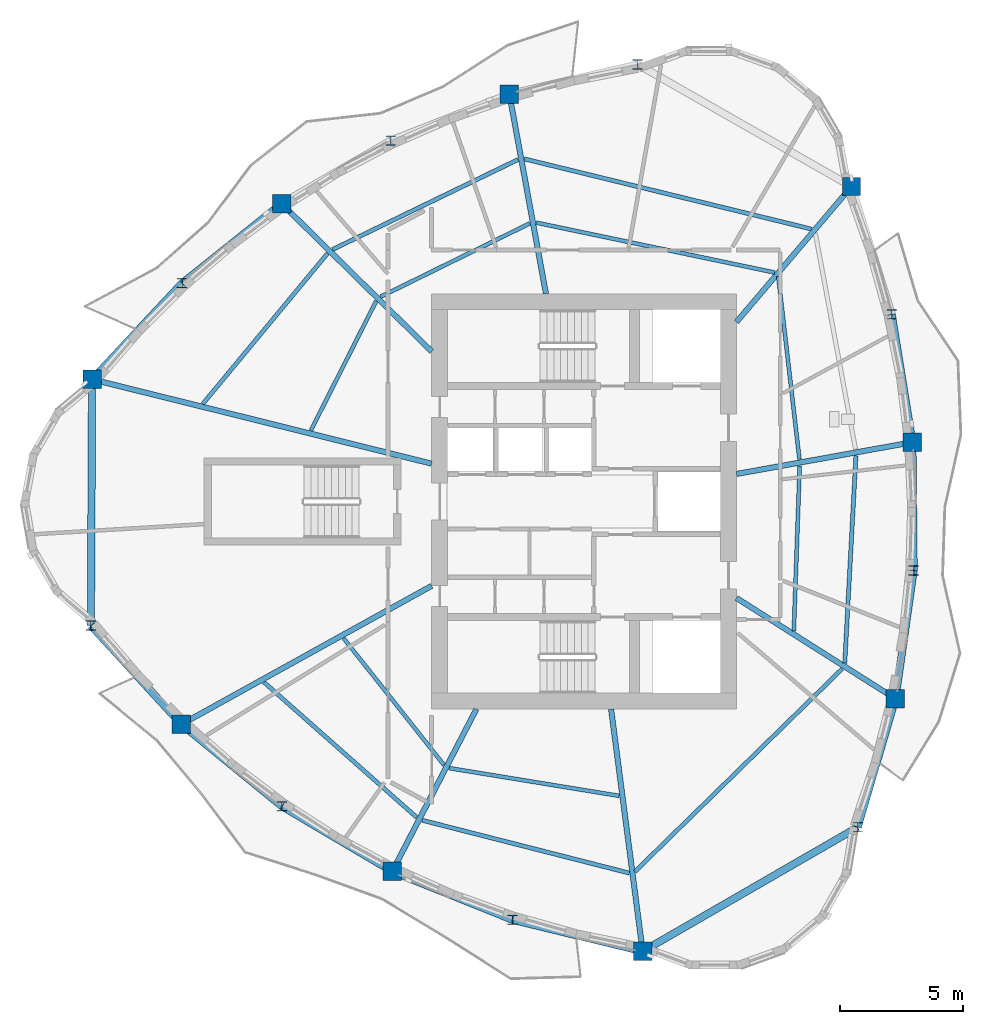
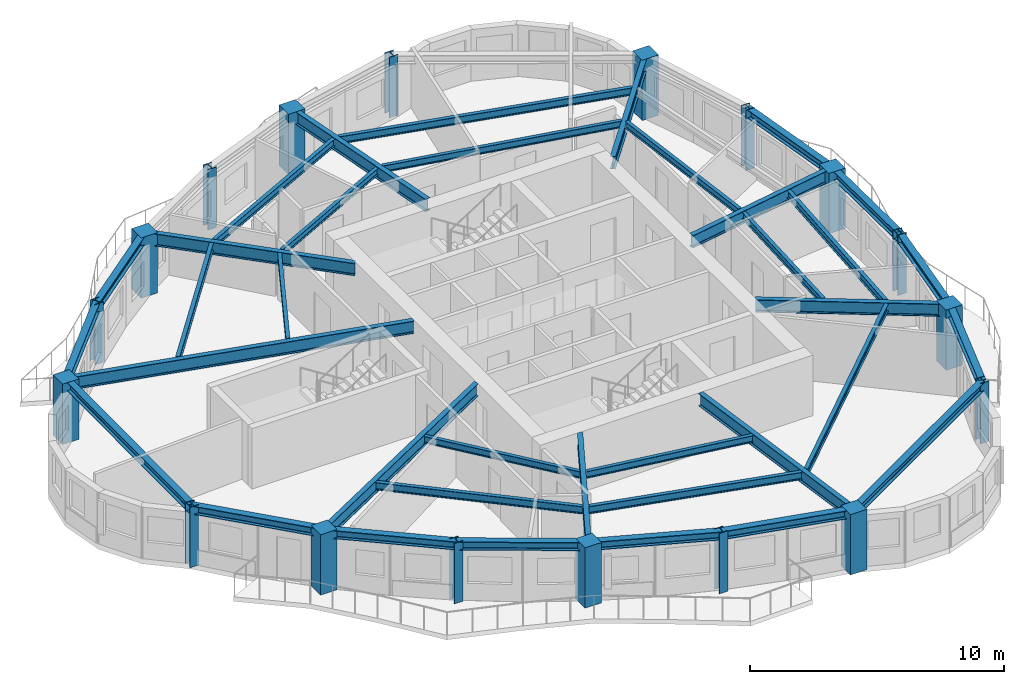
# One storey, part 1 of 12: 36 beams, 18 columns.
"""IFC4 building model written with IfcOpenShell, lengths in metres."""

from ifc_helpers import new_model, si_unit, direction, frame, origin, origin_2d, place, context, subcontext, project, spatial, rectangle, i_section, extrude, source, transform, mapped, material, material_profile, profile_set, type_object, element, save


model = new_model("IFC4")

# Units and contexts
model_context = context("Model", 3, precision=1e-05, world=origin(), true_north=direction((0.0, 1.0)))
body_context = subcontext(model_context, "Body", "Model", "MODEL_VIEW")
ifc_project = project(units=[si_unit("LENGTHUNIT", "METRE"), si_unit("AREAUNIT", "SQUARE_METRE"), si_unit("VOLUMEUNIT", "CUBIC_METRE"), si_unit("PLANEANGLEUNIT", "RADIAN"), si_unit("MASSUNIT", "GRAM", prefix="KILO")], contexts=[model_context])

# Site, building, storey
site_placement = place(None, origin())
site = spatial("IfcSite", under=ifc_project, at=site_placement, CompositionType="ELEMENT")
building_placement = place(site_placement, origin())
building = spatial("IfcBuilding", under=site, at=building_placement, Name="Qafzar Sky-Pleat Residences", CompositionType="ELEMENT")
storey_placement = place(building_placement, frame((0.0, 0.0, 187.39990234375)))
storey = spatial("IfcBuildingStorey", under=building, at=storey_placement, Name="L56", CompositionType="ELEMENT", Elevation=187.39990234375)

# Columns
ifc_material_1 = material(Name="Concrete C60/75", Category="concrete")
ifc_material_profile_1 = material_profile(ifc_material_1, rectangle(XDim=0.75, YDim=0.75, at=origin_2d()), Name="RC 750x750")
ifc_profile_set_1 = profile_set([ifc_material_profile_1], Name="Concrete C60/75")
column_type_1 = type_object("IfcColumnType", Name="COL-RC-750", PredefinedType="COLUMN", material=ifc_profile_set_1)
shared_shape_1 = source(origin(), body_context, "Body", "SweptSolid", [
    extrude(rectangle(XDim=0.75, YDim=0.75, at=origin_2d()), origin(), (0.0, 0.0, 1.0), 2.900146484375),
])
for number, where, z_axis, x_axis, name in (
    (1, (10.338134765625, 30.967041015625, 0.0), (0.0, 0.0, 1.0), (1.0, 0.0, 0.0), "L56 Perimeter Mega Column 1"),
    (2, (13.97265625, 16.934814453125, 0.0), (0.0, 0.0, 1.0), (1.0, 0.0, 0.0), "L56 Perimeter Mega Column 3"),
    (3, (22.547607421875, 10.951904296875, 0.0), (0.0, 0.0, 1.0), (1.0, 0.0, 0.0), "L56 Perimeter Mega Column 5"),
    (4, (32.734130859375, 7.698486328125, 0.0), (0.0, 0.0, 1.0), (1.0, 0.0, 0.0), "L56 Perimeter Mega Column 7"),
    (5, (43.0166015625, 17.977294921875, 0.0), (0.0, 0.0, 1.0), (1.0, 0.0, 0.0), "L56 Perimeter Mega Column 9"),
    (6, (43.70751953125, 28.410400390625, 0.0), (0.0, 0.0, 1.0), (1.0, 0.0, 0.0), "L56 Perimeter Mega Column 11"),
    (7, (41.22900390625, 38.8125, 0.0), (0.0, 0.0, 1.0), (1.0, 0.0, 0.0), "L56 Perimeter Mega Column 13"),
    (8, (27.312255859375, 42.56591796875, 0.0), (0.0, 0.0, 1.0), (1.0, 0.0, 0.0), "L56 Perimeter Mega Column 15"),
    (9, (18.046142578125, 38.11572265625, 0.0), (0.0, 0.0, 1.0), (1.0, 0.0, 0.0), "L56 Perimeter Mega Column 17"),
):
    element("IfcColumn", number, at=place(storey_placement, frame(where, z_axis=z_axis, x_axis=x_axis)), inside=storey, type_object=column_type_1, Name=name, PredefinedType="COLUMN", context=body_context, shape_type="MappedRepresentation", body=[
        mapped(shared_shape_1, transform((0.0, 0.0, 0.0), x_axis=(1.0, 0.0, 0.0), y_axis=(0.0, 1.0, 0.0), z_axis=(0.0, 0.0, 1.0), scale=1.0)),
    ])
ifc_material_2 = material(Name="Steel S355", Category="steel")
ifc_material_profile_2 = material_profile(ifc_material_2, i_section(OverallWidth=0.40087890625, OverallDepth=0.39892578125, WebThickness=0.02294921875, FlangeThickness=0.035888671875, FilletRadius=0.014892578125, at=origin_2d()), Name="HD 400x314")
ifc_profile_set_2 = profile_set([ifc_material_profile_2], Name="Steel S355")
column_type_2 = type_object("IfcColumnType", Name="COL-STL-HD314", PredefinedType="PILASTER", material=ifc_profile_set_2)
shared_shape_2 = source(origin(), body_context, "Body", "SweptSolid", [
    extrude(i_section(OverallWidth=0.40087890625, OverallDepth=0.39892578125, WebThickness=0.02294921875, FlangeThickness=0.035888671875, FilletRadius=0.014892578125, at=origin_2d()), origin(), (0.0, 0.0, 1.0), 2.900146484375),
])
for number, where, z_axis, x_axis, name in (
    (10, (10.289306640625, 20.94970703125, 0.0), (0.0, 0.0, 1.0), (1.0, 0.0, 0.0), "L56 Perimeter Mega Column 2"),
    (11, (18.058837890625, 13.60205078125, 0.0), (0.0, 0.0, 1.0), (1.0, 0.0, 0.0), "L56 Perimeter Mega Column 4"),
    (12, (27.439453125, 8.98388671875, 0.0), (0.0, 0.0, 1.0), (1.0, 0.0, 0.0), "L56 Perimeter Mega Column 6"),
    (13, (41.482666015625, 12.749267578125, 0.0), (0.0, 0.0, 1.0), (1.0, 0.0, 0.0), "L56 Perimeter Mega Column 8"),
    (14, (43.75830078125, 23.19775390625, 0.0), (0.0, 0.0, 1.0), (1.0, 0.0, 0.0), "L56 Perimeter Mega Column 10"),
    (15, (42.864501953125, 33.615478515625, 0.0), (0.0, 0.0, 1.0), (1.0, 0.0, 0.0), "L56 Perimeter Mega Column 12"),
    (16, (32.529296875, 43.779052734375, 0.0), (0.0, 0.0, 1.0), (1.0, 0.0, 0.0), "L56 Perimeter Mega Column 14"),
    (17, (22.484375, 40.677978515625, 0.0), (0.0, 0.0, 1.0), (1.0, 0.0, 0.0), "L56 Perimeter Mega Column 16"),
    (18, (13.997314453125, 34.878662109375, 0.0), (0.0, 0.0, 1.0), (1.0, 0.0, 0.0), "L56 Perimeter Mega Column 18"),
):
    element("IfcColumn", number, at=place(storey_placement, frame(where, z_axis=z_axis, x_axis=x_axis)), inside=storey, type_object=column_type_2, Name=name, PredefinedType="PILASTER", context=body_context, shape_type="MappedRepresentation", body=[
        mapped(shared_shape_2, transform((0.0, 0.0, 0.0), x_axis=(1.0, 0.0, 0.0), y_axis=(0.0, 1.0, 0.0), z_axis=(0.0, 0.0, 1.0), scale=1.0)),
    ])

# Beams
ifc_material_profile_3 = material_profile(ifc_material_2, i_section(OverallWidth=0.159912109375, OverallDepth=0.330078125, WebThickness=0.007568359375, FlangeThickness=0.011474609375, FilletRadius=0.01806640625, at=origin_2d()), Name="IPE 330")
ifc_profile_set_3 = profile_set([ifc_material_profile_3], Name="Steel S355")
beam_type_1 = type_object("IfcBeamType", Name="BM-JST-IPE330", PredefinedType="JOIST", material=ifc_profile_set_3)
shared_shape_3 = source(origin(), body_context, "Body", "SweptSolid", [
    extrude(i_section(OverallWidth=0.159912109375, OverallDepth=0.330078125, WebThickness=0.007568359375, FlangeThickness=0.011474609375, FilletRadius=0.01806640625, at=origin_2d()), origin(), (0.0, 0.0, 1.0), 9.91552734375),
])
beam_1_placement = place(storey_placement, frame((38.102294921875, 35.3134765625, 2.733154296875), z_axis=(-0.978807385502, 0.204783061032, 0.0), x_axis=(-0.204783061032, -0.978807385502, 0.0)))
element("IfcBeam", 19, at=beam_1_placement, inside=storey, type_object=beam_type_1, Name="L56 Inner Secondary Floor Joist 7", PredefinedType="JOIST", context=body_context, shape_type="MappedRepresentation", body=[
    mapped(shared_shape_3, transform((0.0, 0.0, 0.0), x_axis=(1.0, 0.0, 0.0), y_axis=(0.0, 1.0, 0.0), z_axis=(0.0, 0.0, 1.0), scale=1.0)),
])
ifc_material_profile_4 = material_profile(ifc_material_2, i_section(OverallWidth=0.300048828125, OverallDepth=0.39990234375, WebThickness=0.013427734375, FlangeThickness=0.02392578125, FilletRadius=0.027099609375, at=origin_2d()), Name="HEB 400")
ifc_profile_set_4 = profile_set([ifc_material_profile_4], Name="Steel S355")
beam_type_2 = type_object("IfcBeamType", Name="BM-SPAN-HEB400", PredefinedType="SPANDREL", material=ifc_profile_set_4)
shared_shape_4 = source(origin(), body_context, "Body", "SweptSolid", [
    extrude(i_section(OverallWidth=0.300048828125, OverallDepth=0.39990234375, WebThickness=0.013427734375, FlangeThickness=0.02392578125, FilletRadius=0.027099609375, at=origin_2d()), origin(), (0.0, 0.0, 1.0), 10.017333984375),
])
beam_2_placement = place(storey_placement, frame((10.338134765625, 30.967041015625, 2.697998046875), z_axis=(-0.004874305381, -0.999988120503, 0.0), x_axis=(0.999988120503, -0.004874305381, 0.0)))
element("IfcBeam", 20, at=beam_2_placement, inside=storey, type_object=beam_type_2, Name="L56 Perimeter Spandrel Beam 1", PredefinedType="SPANDREL", context=body_context, shape_type="MappedRepresentation", body=[
    mapped(shared_shape_4, transform((0.0, 0.0, 0.0), x_axis=(1.0, 0.0, 0.0), y_axis=(0.0, 1.0, 0.0), z_axis=(0.0, 0.0, 1.0), scale=1.0)),
])
shared_shape_5 = source(origin(), body_context, "Body", "SweptSolid", [
    extrude(i_section(OverallWidth=0.300048828125, OverallDepth=0.39990234375, WebThickness=0.013427734375, FlangeThickness=0.02392578125, FilletRadius=0.027099609375, at=origin_2d()), origin(), (0.0, 0.0, 1.0), 5.448486328125),
])
for number, where, z_axis, x_axis, name in (
    (21, (10.289306640625, 20.94970703125, 2.697998046875), (0.67602690272, -0.736876941422, 0.0), (0.736876941422, 0.67602690272, 0.0), "L56 Perimeter Spandrel Beam 2"),
    (22, (27.439453125, 8.98388671875, 2.697998046875), (0.971772638207, -0.235919349848, 0.0), (0.235919349848, 0.971772638207, 0.0), "L56 Perimeter Spandrel Beam 6"),
    (23, (41.482666015625, 12.749267578125, 2.697998046875), (0.281537931885, 0.959550099218, 0.0), (-0.959550099218, 0.281537931885, 0.0), "L56 Perimeter Spandrel Beam 8"),
):
    element("IfcBeam", number, at=place(storey_placement, frame(where, z_axis=z_axis, x_axis=x_axis)), inside=storey, type_object=beam_type_2, Name=name, PredefinedType="SPANDREL", context=body_context, shape_type="MappedRepresentation", body=[
        mapped(shared_shape_5, transform((0.0, 0.0, 0.0), x_axis=(1.0, 0.0, 0.0), y_axis=(0.0, 1.0, 0.0), z_axis=(0.0, 0.0, 1.0), scale=1.0)),
    ])
shared_shape_6 = source(origin(), body_context, "Body", "SweptSolid", [
    extrude(i_section(OverallWidth=0.300048828125, OverallDepth=0.39990234375, WebThickness=0.013427734375, FlangeThickness=0.02392578125, FilletRadius=0.027099609375, at=origin_2d()), origin(), (0.0, 0.0, 1.0), 5.27294921875),
])
for number, where, z_axis, x_axis, name in (
    (24, (13.97265625, 16.934814453125, 2.697998046875), (0.774930068273, -0.632046983449, 0.0), (0.632046983449, 0.774930068273, 0.0), "L56 Perimeter Spandrel Beam 3"),
    (25, (22.547607421875, 10.951904296875, 2.697998046875), (0.927737233532, -0.373234009058, 0.0), (0.373234009058, 0.927737233532, 0.0), "L56 Perimeter Spandrel Beam 5"),
    (26, (43.0166015625, 17.977294921875, 2.697998046875), (0.140662901854, 0.990057547844, 0.0), (-0.990057547844, 0.140662901854, 0.0), "L56 Perimeter Spandrel Beam 9"),
    (27, (43.70751953125, 28.410400390625, 2.697998046875), (-0.159877284529, 0.987136897239, 0.0), (-0.987136897239, -0.159877284529, 0.0), "L56 Perimeter Spandrel Beam 11"),
):
    element("IfcBeam", number, at=place(storey_placement, frame(where, z_axis=z_axis, x_axis=x_axis)), inside=storey, type_object=beam_type_2, Name=name, PredefinedType="SPANDREL", context=body_context, shape_type="MappedRepresentation", body=[
        mapped(shared_shape_6, transform((0.0, 0.0, 0.0), x_axis=(1.0, 0.0, 0.0), y_axis=(0.0, 1.0, 0.0), z_axis=(0.0, 0.0, 1.0), scale=1.0)),
    ])
shared_shape_7 = source(origin(), body_context, "Body", "SweptSolid", [
    extrude(i_section(OverallWidth=0.300048828125, OverallDepth=0.39990234375, WebThickness=0.013427734375, FlangeThickness=0.02392578125, FilletRadius=0.027099609375, at=origin_2d()), origin(), (0.0, 0.0, 1.0), 5.212646484375),
])
beam_3_placement = place(storey_placement, frame((18.058837890625, 13.60205078125, 2.697998046875), z_axis=(0.861120406877, -0.508401066934, 0.0), x_axis=(0.508401066934, 0.861120406877, 0.0)))
element("IfcBeam", 28, at=beam_3_placement, inside=storey, type_object=beam_type_2, Name="L56 Perimeter Spandrel Beam 4", PredefinedType="SPANDREL", context=body_context, shape_type="MappedRepresentation", body=[
    mapped(shared_shape_7, transform((0.0, 0.0, 0.0), x_axis=(1.0, 0.0, 0.0), y_axis=(0.0, 1.0, 0.0), z_axis=(0.0, 0.0, 1.0), scale=1.0)),
])
shared_shape_8 = source(origin(), body_context, "Body", "SweptSolid", [
    extrude(i_section(OverallWidth=0.300048828125, OverallDepth=0.39990234375, WebThickness=0.013427734375, FlangeThickness=0.02392578125, FilletRadius=0.027099609375, at=origin_2d()), origin(), (0.0, 0.0, 1.0), 10.101806640625),
])
beam_4_placement = place(storey_placement, frame((32.734130859375, 7.698486328125, 2.697998046875), z_axis=(0.866033456987, 0.499986051185, 0.0), x_axis=(-0.499986051185, 0.866033456987, 0.0)))
element("IfcBeam", 29, at=beam_4_placement, inside=storey, type_object=beam_type_2, Name="L56 Perimeter Spandrel Beam 7", PredefinedType="SPANDREL", context=body_context, shape_type="MappedRepresentation", body=[
    mapped(shared_shape_8, transform((0.0, 0.0, 0.0), x_axis=(1.0, 0.0, 0.0), y_axis=(0.0, 1.0, 0.0), z_axis=(0.0, 0.0, 1.0), scale=1.0)),
])
shared_shape_9 = source(origin(), body_context, "Body", "SweptSolid", [
    extrude(i_section(OverallWidth=0.300048828125, OverallDepth=0.39990234375, WebThickness=0.013427734375, FlangeThickness=0.02392578125, FilletRadius=0.027099609375, at=origin_2d()), origin(), (0.0, 0.0, 1.0), 5.212890625),
])
beam_5_placement = place(storey_placement, frame((43.75830078125, 23.19775390625, 2.697998046875), z_axis=(-0.009741470215, 0.999952550753, 0.0), x_axis=(-0.999952550753, -0.009741470215, 0.0)))
element("IfcBeam", 30, at=beam_5_placement, inside=storey, type_object=beam_type_2, Name="L56 Perimeter Spandrel Beam 10", PredefinedType="SPANDREL", context=body_context, shape_type="MappedRepresentation", body=[
    mapped(shared_shape_9, transform((0.0, 0.0, 0.0), x_axis=(1.0, 0.0, 0.0), y_axis=(0.0, 1.0, 0.0), z_axis=(0.0, 0.0, 1.0), scale=1.0)),
])
shared_shape_10 = source(origin(), body_context, "Body", "SweptSolid", [
    extrude(i_section(OverallWidth=0.300048828125, OverallDepth=0.39990234375, WebThickness=0.013427734375, FlangeThickness=0.02392578125, FilletRadius=0.027099609375, at=origin_2d()), origin(), (0.0, 0.0, 1.0), 5.183837890625),
])
beam_6_placement = place(storey_placement, frame((18.046142578125, 38.11572265625, 2.697998046875), z_axis=(-0.78105716206, -0.624459533994, 0.0), x_axis=(0.624459533994, -0.78105716206, 0.0)))
element("IfcBeam", 31, at=beam_6_placement, inside=storey, type_object=beam_type_2, Name="L56 Perimeter Spandrel Beam 17", PredefinedType="SPANDREL", context=body_context, shape_type="MappedRepresentation", body=[
    mapped(shared_shape_10, transform((0.0, 0.0, 0.0), x_axis=(1.0, 0.0, 0.0), y_axis=(0.0, 1.0, 0.0), z_axis=(0.0, 0.0, 1.0), scale=1.0)),
])
shared_shape_11 = source(origin(), body_context, "Body", "SweptSolid", [
    extrude(i_section(OverallWidth=0.300048828125, OverallDepth=0.39990234375, WebThickness=0.013427734375, FlangeThickness=0.02392578125, FilletRadius=0.027099609375, at=origin_2d()), origin(), (0.0, 0.0, 1.0), 5.3564453125),
])
beam_7_placement = place(storey_placement, frame((13.997314453125, 34.878662109375, 2.697998046875), z_axis=(-0.683149287603, -0.730278748731, 0.0), x_axis=(0.730278748731, -0.683149287603, 0.0)))
element("IfcBeam", 32, at=beam_7_placement, inside=storey, type_object=beam_type_2, Name="L56 Perimeter Spandrel Beam 18", PredefinedType="SPANDREL", context=body_context, shape_type="MappedRepresentation", body=[
    mapped(shared_shape_11, transform((0.0, 0.0, 0.0), x_axis=(1.0, 0.0, 0.0), y_axis=(0.0, 1.0, 0.0), z_axis=(0.0, 0.0, 1.0), scale=1.0)),
])
ifc_material_profile_5 = material_profile(ifc_material_2, i_section(OverallWidth=0.219970703125, OverallDepth=0.60009765625, WebThickness=0.011962890625, FlangeThickness=0.01904296875, FilletRadius=0.02392578125, at=origin_2d()), Name="IPE 600")
ifc_profile_set_5 = profile_set([ifc_material_profile_5], Name="Steel S355")
beam_type_3 = type_object("IfcBeamType", Name="BM-SEC-IPE600", PredefinedType="BEAM", material=ifc_profile_set_5)
shared_shape_12 = source(origin(), body_context, "Body", "SweptSolid", [
    extrude(i_section(OverallWidth=0.219970703125, OverallDepth=0.60009765625, WebThickness=0.011962890625, FlangeThickness=0.01904296875, FilletRadius=0.02392578125, at=origin_2d()), origin(), (0.0, 0.0, 1.0), 14.23095703125),
])
beam_8_placement = place(storey_placement, frame((10.338134765625, 30.967041015625, 2.59814453125), z_axis=(0.970549832167, -0.240900442672, 0.0), x_axis=(0.240900442672, 0.970549832167, 0.0)))
element("IfcBeam", 33, at=beam_8_placement, inside=storey, type_object=beam_type_3, Name="L56 Radial Floor Girder 1", PredefinedType="BEAM", context=body_context, shape_type="MappedRepresentation", body=[
    mapped(shared_shape_12, transform((0.0, 0.0, 0.0), x_axis=(1.0, 0.0, 0.0), y_axis=(0.0, 1.0, 0.0), z_axis=(0.0, 0.0, 1.0), scale=1.0)),
])
shared_shape_13 = source(origin(), body_context, "Body", "SweptSolid", [
    extrude(i_section(OverallWidth=0.219970703125, OverallDepth=0.60009765625, WebThickness=0.011962890625, FlangeThickness=0.01904296875, FilletRadius=0.02392578125, at=origin_2d()), origin(), (0.0, 0.0, 1.0), 11.63232421875),
])
beam_9_placement = place(storey_placement, frame((13.97265625, 16.934814453125, 2.59814453125), z_axis=(0.874912581808, 0.484280883573, 0.0), x_axis=(-0.484280883573, 0.874912581808, 0.0)))
element("IfcBeam", 34, at=beam_9_placement, inside=storey, type_object=beam_type_3, Name="L56 Radial Floor Girder 3", PredefinedType="BEAM", context=body_context, shape_type="MappedRepresentation", body=[
    mapped(shared_shape_13, transform((0.0, 0.0, 0.0), x_axis=(1.0, 0.0, 0.0), y_axis=(0.0, 1.0, 0.0), z_axis=(0.0, 0.0, 1.0), scale=1.0)),
])
shared_shape_14 = source(origin(), body_context, "Body", "SweptSolid", [
    extrude(i_section(OverallWidth=0.219970703125, OverallDepth=0.60009765625, WebThickness=0.011962890625, FlangeThickness=0.01904296875, FilletRadius=0.02392578125, at=origin_2d()), origin(), (0.0, 0.0, 1.0), 7.432373046875),
])
beam_10_placement = place(storey_placement, frame((22.547607421875, 10.951904296875, 2.59814453125), z_axis=(0.460304699772, 0.887760994507, 0.0), x_axis=(-0.887760994507, 0.460304699772, 0.0)))
element("IfcBeam", 35, at=beam_10_placement, inside=storey, type_object=beam_type_3, Name="L56 Radial Floor Girder 5", PredefinedType="BEAM", context=body_context, shape_type="MappedRepresentation", body=[
    mapped(shared_shape_14, transform((0.0, 0.0, 0.0), x_axis=(1.0, 0.0, 0.0), y_axis=(0.0, 1.0, 0.0), z_axis=(0.0, 0.0, 1.0), scale=1.0)),
])
shared_shape_15 = source(origin(), body_context, "Body", "SweptSolid", [
    extrude(i_section(OverallWidth=0.219970703125, OverallDepth=0.60009765625, WebThickness=0.011962890625, FlangeThickness=0.01904296875, FilletRadius=0.02392578125, at=origin_2d()), origin(), (0.0, 0.0, 1.0), 9.934814453125),
])
beam_11_placement = place(storey_placement, frame((32.734130859375, 7.698486328125, 2.59814453125), z_axis=(-0.129186849577, 0.991620269002, 0.0), x_axis=(-0.991620269002, -0.129186849577, 0.0)))
element("IfcBeam", 36, at=beam_11_placement, inside=storey, type_object=beam_type_3, Name="L56 Radial Floor Girder 7", PredefinedType="BEAM", context=body_context, shape_type="MappedRepresentation", body=[
    mapped(shared_shape_15, transform((0.0, 0.0, 0.0), x_axis=(1.0, 0.0, 0.0), y_axis=(0.0, 1.0, 0.0), z_axis=(0.0, 0.0, 1.0), scale=1.0)),
])
shared_shape_16 = source(origin(), body_context, "Body", "SweptSolid", [
    extrude(i_section(OverallWidth=0.219970703125, OverallDepth=0.60009765625, WebThickness=0.011962890625, FlangeThickness=0.01904296875, FilletRadius=0.02392578125, at=origin_2d()), origin(), (0.0, 0.0, 1.0), 7.654541015625),
])
beam_12_placement = place(storey_placement, frame((43.0166015625, 17.977294921875, 2.59814453125), z_axis=(-0.844806099733, 0.535072568774, 0.0), x_axis=(-0.535072568774, -0.844806099733, 0.0)))
element("IfcBeam", 37, at=beam_12_placement, inside=storey, type_object=beam_type_3, Name="L56 Radial Floor Girder 9", PredefinedType="BEAM", context=body_context, shape_type="MappedRepresentation", body=[
    mapped(shared_shape_16, transform((0.0, 0.0, 0.0), x_axis=(1.0, 0.0, 0.0), y_axis=(0.0, 1.0, 0.0), z_axis=(0.0, 0.0, 1.0), scale=1.0)),
])
shared_shape_17 = source(origin(), body_context, "Body", "SweptSolid", [
    extrude(i_section(OverallWidth=0.219970703125, OverallDepth=0.60009765625, WebThickness=0.011962890625, FlangeThickness=0.01904296875, FilletRadius=0.02392578125, at=origin_2d()), origin(), (0.0, 0.0, 1.0), 7.27294921875),
])
beam_13_placement = place(storey_placement, frame((43.70751953125, 28.410400390625, 2.59814453125), z_axis=(-0.984107501628, -0.177573717761, 0.0), x_axis=(0.177573717761, -0.984107501628, 0.0)))
element("IfcBeam", 38, at=beam_13_placement, inside=storey, type_object=beam_type_3, Name="L56 Radial Floor Girder 11", PredefinedType="BEAM", context=body_context, shape_type="MappedRepresentation", body=[
    mapped(shared_shape_17, transform((0.0, 0.0, 0.0), x_axis=(1.0, 0.0, 0.0), y_axis=(0.0, 1.0, 0.0), z_axis=(0.0, 0.0, 1.0), scale=1.0)),
])
shared_shape_18 = source(origin(), body_context, "Body", "SweptSolid", [
    extrude(i_section(OverallWidth=0.219970703125, OverallDepth=0.60009765625, WebThickness=0.011962890625, FlangeThickness=0.01904296875, FilletRadius=0.02392578125, at=origin_2d()), origin(), (0.0, 0.0, 1.0), 7.22900390625),
])
beam_14_placement = place(storey_placement, frame((41.22900390625, 38.8125, 2.59814453125), z_axis=(-0.64724933582, -0.762278359447, 0.0), x_axis=(0.762278359447, -0.64724933582, 0.0)))
element("IfcBeam", 39, at=beam_14_placement, inside=storey, type_object=beam_type_3, Name="L56 Radial Floor Girder 13", PredefinedType="BEAM", context=body_context, shape_type="MappedRepresentation", body=[
    mapped(shared_shape_18, transform((0.0, 0.0, 0.0), x_axis=(1.0, 0.0, 0.0), y_axis=(0.0, 1.0, 0.0), z_axis=(0.0, 0.0, 1.0), scale=1.0)),
])
shared_shape_19 = source(origin(), body_context, "Body", "SweptSolid", [
    extrude(i_section(OverallWidth=0.219970703125, OverallDepth=0.60009765625, WebThickness=0.011962890625, FlangeThickness=0.01904296875, FilletRadius=0.02392578125, at=origin_2d()), origin(), (0.0, 0.0, 1.0), 8.251220703125),
])
beam_15_placement = place(storey_placement, frame((27.312255859375, 42.56591796875, 2.59814453125), z_axis=(0.180369376393, -0.983598946756, 0.0), x_axis=(0.983598946756, 0.180369376393, 0.0)))
element("IfcBeam", 40, at=beam_15_placement, inside=storey, type_object=beam_type_3, Name="L56 Radial Floor Girder 15", PredefinedType="BEAM", context=body_context, shape_type="MappedRepresentation", body=[
    mapped(shared_shape_19, transform((0.0, 0.0, 0.0), x_axis=(1.0, 0.0, 0.0), y_axis=(0.0, 1.0, 0.0), z_axis=(0.0, 0.0, 1.0), scale=1.0)),
])
shared_shape_20 = source(origin(), body_context, "Body", "SweptSolid", [
    extrude(i_section(OverallWidth=0.219970703125, OverallDepth=0.60009765625, WebThickness=0.011962890625, FlangeThickness=0.01904296875, FilletRadius=0.02392578125, at=origin_2d()), origin(), (0.0, 0.0, 1.0), 8.56640625),
])
beam_16_placement = place(storey_placement, frame((18.046142578125, 38.11572265625, 2.59814453125), z_axis=(0.712529334431, -0.701642321682, 0.0), x_axis=(0.701642321682, 0.712529334431, 0.0)))
element("IfcBeam", 41, at=beam_16_placement, inside=storey, type_object=beam_type_3, Name="L56 Radial Floor Girder 17", PredefinedType="BEAM", context=body_context, shape_type="MappedRepresentation", body=[
    mapped(shared_shape_20, transform((0.0, 0.0, 0.0), x_axis=(1.0, 0.0, 0.0), y_axis=(0.0, 1.0, 0.0), z_axis=(0.0, 0.0, 1.0), scale=1.0)),
])
ifc_material_profile_6 = material_profile(ifc_material_2, i_section(OverallWidth=0.169921875, OverallDepth=0.360107421875, WebThickness=0.008056640625, FlangeThickness=0.0126953125, FilletRadius=0.01806640625, at=origin_2d()), Name="IPE 360")
ifc_profile_set_6 = profile_set([ifc_material_profile_6], Name="Steel S355")
beam_type_4 = type_object("IfcBeamType", Name="BM-JST-IPE360", PredefinedType="JOIST", material=ifc_profile_set_6)
shared_shape_21 = source(origin(), body_context, "Body", "SweptSolid", [
    extrude(i_section(OverallWidth=0.169921875, OverallDepth=0.360107421875, WebThickness=0.008056640625, FlangeThickness=0.0126953125, FilletRadius=0.01806640625, at=origin_2d()), origin(), (0.0, 0.0, 1.0), 8.29296875),
])
beam_17_placement = place(storey_placement, frame((17.33056640625, 18.64794921875, 2.718017578125), z_axis=(0.748919574139, -0.662660902327, 0.0), x_axis=(0.662660902327, 0.748919574139, 0.0)))
element("IfcBeam", 42, at=beam_17_placement, inside=storey, type_object=beam_type_4, Name="L56 Outer Secondary Floor Joist 2", PredefinedType="JOIST", context=body_context, shape_type="MappedRepresentation", body=[
    mapped(shared_shape_21, transform((0.0, 0.0, 0.0), x_axis=(1.0, 0.0, 0.0), y_axis=(0.0, 1.0, 0.0), z_axis=(0.0, 0.0, 1.0), scale=1.0)),
])
shared_shape_22 = source(origin(), body_context, "Body", "SweptSolid", [
    extrude(i_section(OverallWidth=0.169921875, OverallDepth=0.360107421875, WebThickness=0.008056640625, FlangeThickness=0.0126953125, FilletRadius=0.01806640625, at=origin_2d()), origin(), (0.0, 0.0, 1.0), 8.6884765625),
])
beam_18_placement = place(storey_placement, frame((23.773193359375, 13.030029296875, 2.718017578125), z_axis=(0.969024952428, -0.246962834393, 0.0), x_axis=(0.246962834393, 0.969024952428, 0.0)))
element("IfcBeam", 43, at=beam_18_placement, inside=storey, type_object=beam_type_4, Name="L56 Outer Secondary Floor Joist 3", PredefinedType="JOIST", context=body_context, shape_type="MappedRepresentation", body=[
    mapped(shared_shape_22, transform((0.0, 0.0, 0.0), x_axis=(1.0, 0.0, 0.0), y_axis=(0.0, 1.0, 0.0), z_axis=(0.0, 0.0, 1.0), scale=1.0)),
])
shared_shape_23 = source(origin(), body_context, "Body", "SweptSolid", [
    extrude(i_section(OverallWidth=0.169921875, OverallDepth=0.360107421875, WebThickness=0.008056640625, FlangeThickness=0.0126953125, FilletRadius=0.01806640625, at=origin_2d()), origin(), (0.0, 0.0, 1.0), 11.79443359375),
])
beam_19_placement = place(storey_placement, frame((32.419921875, 10.9453125, 2.718017578125), z_axis=(0.714795784642, 0.699333244067, 0.0), x_axis=(-0.699333244067, 0.714795784642, 0.0)))
element("IfcBeam", 44, at=beam_19_placement, inside=storey, type_object=beam_type_4, Name="L56 Outer Secondary Floor Joist 4", PredefinedType="JOIST", context=body_context, shape_type="MappedRepresentation", body=[
    mapped(shared_shape_23, transform((0.0, 0.0, 0.0), x_axis=(1.0, 0.0, 0.0), y_axis=(0.0, 1.0, 0.0), z_axis=(0.0, 0.0, 1.0), scale=1.0)),
])
shared_shape_24 = source(origin(), body_context, "Body", "SweptSolid", [
    extrude(i_section(OverallWidth=0.169921875, OverallDepth=0.360107421875, WebThickness=0.008056640625, FlangeThickness=0.0126953125, FilletRadius=0.01806640625, at=origin_2d()), origin(), (0.0, 0.0, 1.0), 8.45166015625),
])
beam_20_placement = place(storey_placement, frame((40.95458984375, 19.4228515625, 2.718017578125), z_axis=(0.053873281943, 0.998547780275, 0.0), x_axis=(-0.998547780275, 0.053873281943, 0.0)))
element("IfcBeam", 45, at=beam_20_placement, inside=storey, type_object=beam_type_4, Name="L56 Outer Secondary Floor Joist 5", PredefinedType="JOIST", context=body_context, shape_type="MappedRepresentation", body=[
    mapped(shared_shape_24, transform((0.0, 0.0, 0.0), x_axis=(1.0, 0.0, 0.0), y_axis=(0.0, 1.0, 0.0), z_axis=(0.0, 0.0, 1.0), scale=1.0)),
])
shared_shape_25 = source(origin(), body_context, "Body", "SweptSolid", [
    extrude(i_section(OverallWidth=0.169921875, OverallDepth=0.360107421875, WebThickness=0.008056640625, FlangeThickness=0.0126953125, FilletRadius=0.01806640625, at=origin_2d()), origin(), (0.0, 0.0, 1.0), 12.02490234375),
])
beam_21_placement = place(storey_placement, frame((39.6005859375, 37.081298828125, 2.718017578125), z_axis=(-0.971396404704, 0.23746373392, 0.0), x_axis=(-0.23746373392, -0.971396404704, 0.0)))
element("IfcBeam", 46, at=beam_21_placement, inside=storey, type_object=beam_type_4, Name="L56 Outer Secondary Floor Joist 7", PredefinedType="JOIST", context=body_context, shape_type="MappedRepresentation", body=[
    mapped(shared_shape_25, transform((0.0, 0.0, 0.0), x_axis=(1.0, 0.0, 0.0), y_axis=(0.0, 1.0, 0.0), z_axis=(0.0, 0.0, 1.0), scale=1.0)),
])
shared_shape_26 = source(origin(), body_context, "Body", "SweptSolid", [
    extrude(i_section(OverallWidth=0.169921875, OverallDepth=0.360107421875, WebThickness=0.008056640625, FlangeThickness=0.0126953125, FilletRadius=0.01806640625, at=origin_2d()), origin(), (0.0, 0.0, 1.0), 8.38623046875),
])
beam_22_placement = place(storey_placement, frame((27.6669921875, 39.909912109375, 2.718017578125), z_axis=(-0.899816185053, -0.436269220913, 0.0), x_axis=(0.436269220913, -0.899816185053, 0.0)))
element("IfcBeam", 47, at=beam_22_placement, inside=storey, type_object=beam_type_4, Name="L56 Outer Secondary Floor Joist 8", PredefinedType="JOIST", context=body_context, shape_type="MappedRepresentation", body=[
    mapped(shared_shape_26, transform((0.0, 0.0, 0.0), x_axis=(1.0, 0.0, 0.0), y_axis=(0.0, 1.0, 0.0), z_axis=(0.0, 0.0, 1.0), scale=1.0)),
])
shared_shape_27 = source(origin(), body_context, "Body", "SweptSolid", [
    extrude(i_section(OverallWidth=0.169921875, OverallDepth=0.360107421875, WebThickness=0.008056640625, FlangeThickness=0.0126953125, FilletRadius=0.01806640625, at=origin_2d()), origin(), (0.0, 0.0, 1.0), 7.942626953125),
])
beam_23_placement = place(storey_placement, frame((19.913330078125, 36.08837890625, 2.718017578125), z_axis=(-0.638244355263, -0.769833841147, 0.0), x_axis=(0.769833841147, -0.638244355263, 0.0)))
element("IfcBeam", 48, at=beam_23_placement, inside=storey, type_object=beam_type_4, Name="L56 Outer Secondary Floor Joist 9", PredefinedType="JOIST", context=body_context, shape_type="MappedRepresentation", body=[
    mapped(shared_shape_27, transform((0.0, 0.0, 0.0), x_axis=(1.0, 0.0, 0.0), y_axis=(0.0, 1.0, 0.0), z_axis=(0.0, 0.0, 1.0), scale=1.0)),
])
shared_shape_28 = source(origin(), body_context, "Body", "SweptSolid", [
    extrude(i_section(OverallWidth=0.159912109375, OverallDepth=0.330078125, WebThickness=0.007568359375, FlangeThickness=0.011474609375, FilletRadius=0.01806640625, at=origin_2d()), origin(), (0.0, 0.0, 1.0), 6.5751953125),
])
beam_24_placement = place(storey_placement, frame((20.570068359375, 20.434326171875, 2.733154296875), z_axis=(0.620997720675, -0.783812369714, 0.0), x_axis=(0.783812369714, 0.620997720675, 0.0)))
element("IfcBeam", 49, at=beam_24_placement, inside=storey, type_object=beam_type_1, Name="L56 Inner Secondary Floor Joist 2", PredefinedType="JOIST", context=body_context, shape_type="MappedRepresentation", body=[
    mapped(shared_shape_28, transform((0.0, 0.0, 0.0), x_axis=(1.0, 0.0, 0.0), y_axis=(0.0, 1.0, 0.0), z_axis=(0.0, 0.0, 1.0), scale=1.0)),
])
shared_shape_29 = source(origin(), body_context, "Body", "SweptSolid", [
    extrude(i_section(OverallWidth=0.159912109375, OverallDepth=0.330078125, WebThickness=0.007568359375, FlangeThickness=0.011474609375, FilletRadius=0.01806640625, at=origin_2d()), origin(), (0.0, 0.0, 1.0), 7.00048828125),
])
beam_25_placement = place(storey_placement, frame((24.870361328125, 15.15283203125, 2.733154296875), z_axis=(0.98694068918, -0.161084065135, 0.0), x_axis=(0.161084065135, 0.98694068918, 0.0)))
element("IfcBeam", 50, at=beam_25_placement, inside=storey, type_object=beam_type_1, Name="L56 Inner Secondary Floor Joist 3", PredefinedType="JOIST", context=body_context, shape_type="MappedRepresentation", body=[
    mapped(shared_shape_29, transform((0.0, 0.0, 0.0), x_axis=(1.0, 0.0, 0.0), y_axis=(0.0, 1.0, 0.0), z_axis=(0.0, 0.0, 1.0), scale=1.0)),
])
shared_shape_30 = source(origin(), body_context, "Body", "SweptSolid", [
    extrude(i_section(OverallWidth=0.159912109375, OverallDepth=0.330078125, WebThickness=0.007568359375, FlangeThickness=0.011474609375, FilletRadius=0.01806640625, at=origin_2d()), origin(), (0.0, 0.0, 1.0), 6.719482421875),
])
beam_26_placement = place(storey_placement, frame((38.8828125, 20.733642578125, 2.733154296875), z_axis=(0.03556971157, 0.99936719759, 0.0), x_axis=(-0.99936719759, 0.03556971157, 0.0)))
element("IfcBeam", 51, at=beam_26_placement, inside=storey, type_object=beam_type_1, Name="L56 Inner Secondary Floor Joist 5", PredefinedType="JOIST", context=body_context, shape_type="MappedRepresentation", body=[
    mapped(shared_shape_30, transform((0.0, 0.0, 0.0), x_axis=(1.0, 0.0, 0.0), y_axis=(0.0, 1.0, 0.0), z_axis=(0.0, 0.0, 1.0), scale=1.0)),
])
shared_shape_31 = source(origin(), body_context, "Body", "SweptSolid", [
    extrude(i_section(OverallWidth=0.159912109375, OverallDepth=0.330078125, WebThickness=0.007568359375, FlangeThickness=0.011474609375, FilletRadius=0.01806640625, at=origin_2d()), origin(), (0.0, 0.0, 1.0), 7.4833984375),
])
beam_27_placement = place(storey_placement, frame((39.111083984375, 27.718017578125, 2.733154296875), z_axis=(-0.115067411839, 0.993357685193, 0.0), x_axis=(-0.993357685193, -0.115067411839, 0.0)))
element("IfcBeam", 52, at=beam_27_placement, inside=storey, type_object=beam_type_1, Name="L56 Inner Secondary Floor Joist 6", PredefinedType="JOIST", context=body_context, shape_type="MappedRepresentation", body=[
    mapped(shared_shape_31, transform((0.0, 0.0, 0.0), x_axis=(1.0, 0.0, 0.0), y_axis=(0.0, 1.0, 0.0), z_axis=(0.0, 0.0, 1.0), scale=1.0)),
])
shared_shape_32 = source(origin(), body_context, "Body", "SweptSolid", [
    extrude(i_section(OverallWidth=0.159912109375, OverallDepth=0.330078125, WebThickness=0.007568359375, FlangeThickness=0.011474609375, FilletRadius=0.01806640625, at=origin_2d()), origin(), (0.0, 0.0, 1.0), 6.763427734375),
])
beam_28_placement = place(storey_placement, frame((28.1435546875, 37.312255859375, 2.733154296875), z_axis=(-0.897438764367, -0.441139053147, 0.0), x_axis=(0.441139053147, -0.897438764367, 0.0)))
element("IfcBeam", 53, at=beam_28_placement, inside=storey, type_object=beam_type_1, Name="L56 Inner Secondary Floor Joist 8", PredefinedType="JOIST", context=body_context, shape_type="MappedRepresentation", body=[
    mapped(shared_shape_32, transform((0.0, 0.0, 0.0), x_axis=(1.0, 0.0, 0.0), y_axis=(0.0, 1.0, 0.0), z_axis=(0.0, 0.0, 1.0), scale=1.0)),
])
shared_shape_33 = source(origin(), body_context, "Body", "SweptSolid", [
    extrude(i_section(OverallWidth=0.159912109375, OverallDepth=0.330078125, WebThickness=0.007568359375, FlangeThickness=0.011474609375, FilletRadius=0.01806640625, at=origin_2d()), origin(), (0.0, 0.0, 1.0), 5.88671875),
])
beam_29_placement = place(storey_placement, frame((21.891845703125, 34.1484375, 2.733154296875), z_axis=(-0.450727036849, -0.892661827488, 0.0), x_axis=(0.892661827488, -0.450727036849, 0.0)))
element("IfcBeam", 54, at=beam_29_placement, inside=storey, type_object=beam_type_1, Name="L56 Inner Secondary Floor Joist 9", PredefinedType="JOIST", context=body_context, shape_type="MappedRepresentation", body=[
    mapped(shared_shape_33, transform((0.0, 0.0, 0.0), x_axis=(1.0, 0.0, 0.0), y_axis=(0.0, 1.0, 0.0), z_axis=(0.0, 0.0, 1.0), scale=1.0)),
])

save(model, "model.ifc")
